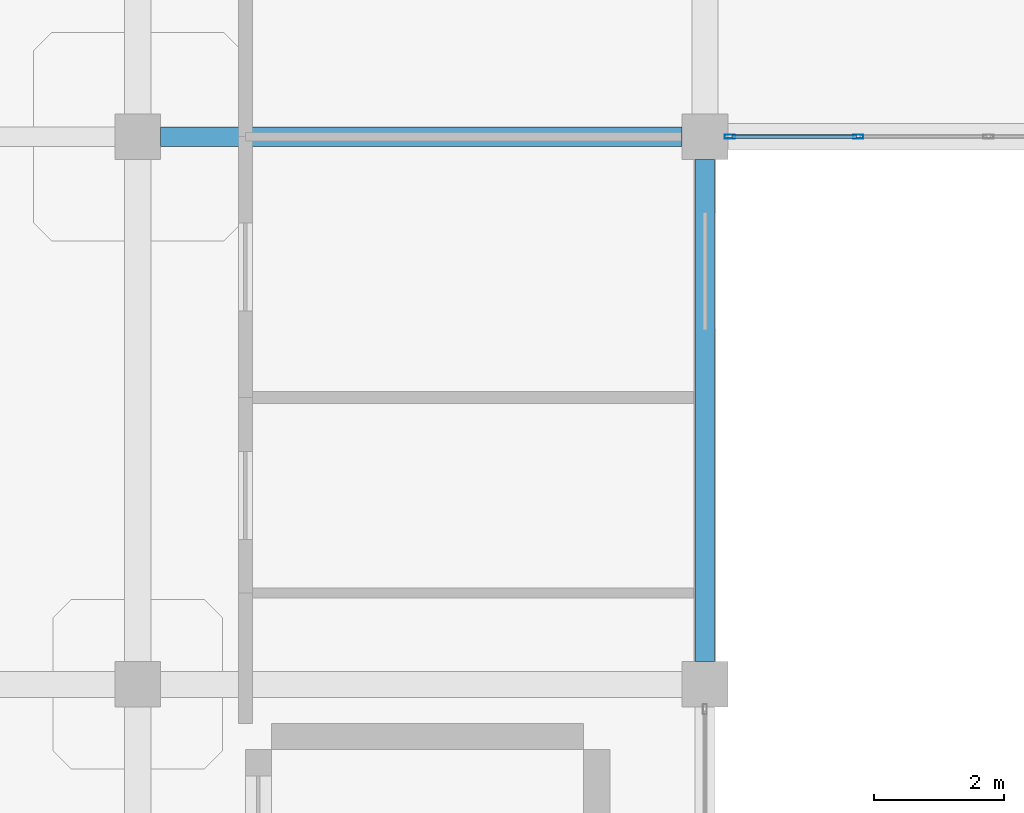
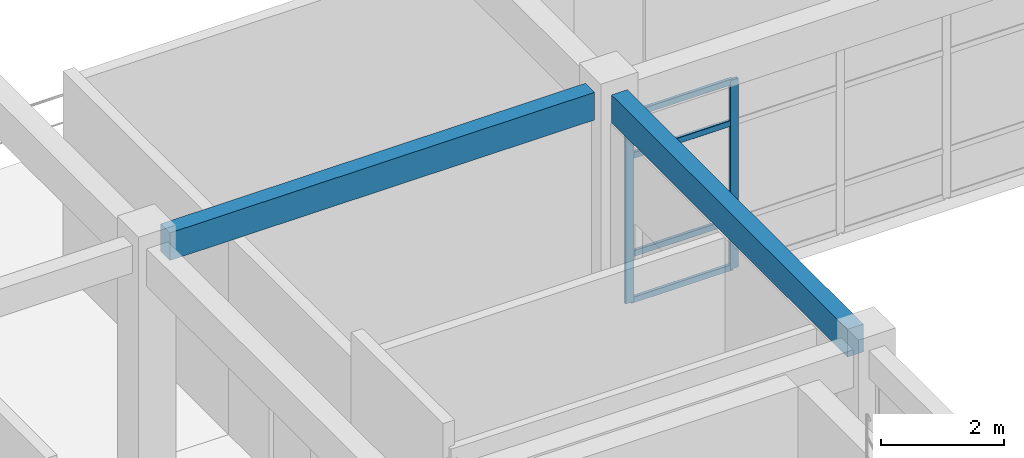
# One storey, part 27 of 64: 6 members, 2 beams, 1 element without a shape of its own.
"""IFC4 building model written with IfcOpenShell, lengths in metres."""

from ifc_helpers import new_model, si_unit, derived_unit, direction, frame, origin, origin_2d, place, context, subcontext, project, spatial, rectangle, hollow_rectangle, extrude, material, layer, layer_set, material_profile, profile_set, type_object, element, aggregate, save


model = new_model("IFC4")

# Units and contexts
model_context = context("Model", 3, precision=1e-05, world=origin(), true_north=direction((0.0, 1.0)))
body_context = subcontext(model_context, "Body", "Model", "MODEL_VIEW")
ifc_project = project(units=[si_unit("LENGTHUNIT", "METRE"), si_unit("AREAUNIT", "SQUARE_METRE"), si_unit("VOLUMEUNIT", "CUBIC_METRE"), si_unit("PLANEANGLEUNIT", "RADIAN"), si_unit("MASSUNIT", "GRAM", prefix="KILO"), derived_unit("THERMALTRANSMITTANCEUNIT", [(si_unit("MASSUNIT", "GRAM", prefix="KILO"), 1), (si_unit("TIMEUNIT", "SECOND"), -3), (si_unit("THERMODYNAMICTEMPERATUREUNIT", "KELVIN"), -1)])], contexts=[model_context])

# Site, building, storey
site_placement = place(None, origin())
site = spatial("IfcSite", under=ifc_project, at=site_placement, CompositionType="ELEMENT")
building_placement = place(site_placement, origin())
building = spatial("IfcBuilding", under=site, at=building_placement, Name="Qinzheling Arcade Emporium", CompositionType="ELEMENT")
storey_placement = place(building_placement, frame((0.0, 0.0, 31.5)))
storey = spatial("IfcBuildingStorey", under=building, at=storey_placement, Name="L07", CompositionType="ELEMENT", Elevation=31.5)

# Curtain wall, members
ifc_material_1 = material(Name="Anodised aluminium and solar-control double glazing", Category="aluminium")
ifc_layer = layer(ifc_material_1, 0.159912109375, Name="Anodised aluminium and solar-control double glazing", Category="aluminium")
ifc_layer_set = layer_set([ifc_layer], Name="Anodised aluminium and solar-control double glazing")
curtain_wall_type = type_object("IfcCurtainWallType", Name="Atrium Clerestory Curtain Wall", PredefinedType="NOTDEFINED", material=ifc_layer_set)
curtain_wall_placement = place(storey_placement, origin())
curtain_wall = element("IfcCurtainWall", 1, at=curtain_wall_placement, inside=storey, type_object=curtain_wall_type, Name="Curtain Wall CW-L07-430", PredefinedType="NOTDEFINED")
ifc_material_2 = material(Name="Anodised aluminium 6063-T6", Category="aluminium")
ifc_material_profile_1 = material_profile(ifc_material_2, hollow_rectangle(XDim=0.06005859375, YDim=0.159912109375, WallThickness=0.00390625, InnerFilletRadius=0.00390625, OuterFilletRadius=0.008056640625, at=origin_2d()), Name="RHS 160x60x4", Category="aluminium")
ifc_profile_set_1 = profile_set([ifc_material_profile_1], Name="Anodised aluminium 6063-T6")
member_type_1 = type_object("IfcMemberType", Name="Curtain Wall Mullion RHS160x60", PredefinedType="MULLION", material=ifc_profile_set_1)
member_1_placement = place(storey_placement, frame((71.950927734375, 42.0, 0.0), z_axis=(0.0, 0.0, 1.0), x_axis=(0.0, -1.0, 0.0)))
member_1 = element("IfcMember", 2, at=member_1_placement, type_object=member_type_1, Name="CW03 mullion 4", PredefinedType="MULLION", context=body_context, shape_type="SweptSolid", body=[
    extrude(hollow_rectangle(XDim=0.06005859375, YDim=0.159912109375, WallThickness=0.00390625, InnerFilletRadius=0.00390625, OuterFilletRadius=0.008056640625, at=origin_2d()), origin(), (0.0, 0.0, 1.0), 3.7548828125),
])
member_2_placement = place(storey_placement, frame((69.98193359375, 42.0, 0.0), z_axis=(0.0, 0.0, 1.0), x_axis=(0.0, -1.0, 0.0)))
member_2 = element("IfcMember", 3, at=member_2_placement, type_object=member_type_1, Name="CW03 mullion 5", PredefinedType="MULLION", context=body_context, shape_type="SweptSolid", body=[
    extrude(hollow_rectangle(XDim=0.06005859375, YDim=0.159912109375, WallThickness=0.00390625, InnerFilletRadius=0.00390625, OuterFilletRadius=0.008056640625, at=origin_2d()), origin(), (0.0, 0.0, 1.0), 3.7548828125),
])
ifc_material_profile_2 = material_profile(ifc_material_2, hollow_rectangle(XDim=0.06005859375, YDim=0.1201171875, WallThickness=0.00390625, InnerFilletRadius=0.00390625, OuterFilletRadius=0.008056640625, at=origin_2d()), Name="RHS 120x60x4", Category="aluminium")
ifc_profile_set_2 = profile_set([ifc_material_profile_2], Name="Anodised aluminium 6063-T6")
member_type_2 = type_object("IfcMemberType", Name="Curtain Wall Transom RHS120x60", PredefinedType="USERDEFINED", material=ifc_profile_set_2)
member_3_placement = place(storey_placement, frame((71.9208984375, 42.0, 0.030029296875), z_axis=(-1.0, 0.0, 0.0), x_axis=(0.0, -1.0, 0.0)))
member_3 = element("IfcMember", 4, at=member_3_placement, type_object=member_type_2, Name="CW03 transom 4.1", ObjectType="TRANSOM", PredefinedType="USERDEFINED", context=body_context, shape_type="SweptSolid", body=[
    extrude(hollow_rectangle(XDim=0.06005859375, YDim=0.1201171875, WallThickness=0.00390625, InnerFilletRadius=0.00390625, OuterFilletRadius=0.008056640625, at=origin_2d()), origin(), (0.0, 0.0, 1.0), 1.908935546875),
])
member_4_placement = place(storey_placement, frame((71.9208984375, 42.0, 0.949951171875), z_axis=(-1.0, 0.0, 0.0), x_axis=(0.0, -1.0, 0.0)))
member_4 = element("IfcMember", 5, at=member_4_placement, type_object=member_type_2, Name="CW03 transom 4.2", ObjectType="TRANSOM", PredefinedType="USERDEFINED", context=body_context, shape_type="SweptSolid", body=[
    extrude(hollow_rectangle(XDim=0.06005859375, YDim=0.1201171875, WallThickness=0.00390625, InnerFilletRadius=0.00390625, OuterFilletRadius=0.008056640625, at=origin_2d()), origin(), (0.0, 0.0, 1.0), 1.908935546875),
])
member_5_placement = place(storey_placement, frame((71.9208984375, 42.0, 2.905029296875), z_axis=(-1.0, 0.0, 0.0), x_axis=(0.0, -1.0, 0.0)))
member_5 = element("IfcMember", 6, at=member_5_placement, type_object=member_type_2, Name="CW03 transom 4.3", ObjectType="TRANSOM", PredefinedType="USERDEFINED", context=body_context, shape_type="SweptSolid", body=[
    extrude(hollow_rectangle(XDim=0.06005859375, YDim=0.1201171875, WallThickness=0.00390625, InnerFilletRadius=0.00390625, OuterFilletRadius=0.008056640625, at=origin_2d()), origin(), (0.0, 0.0, 1.0), 1.908935546875),
])
member_6_placement = place(storey_placement, frame((71.9208984375, 42.0, 3.72509765625), z_axis=(-1.0, 0.0, 0.0), x_axis=(0.0, -1.0, 0.0)))
member_6 = element("IfcMember", 7, at=member_6_placement, type_object=member_type_2, Name="CW03 transom 4.4", ObjectType="TRANSOM", PredefinedType="USERDEFINED", context=body_context, shape_type="SweptSolid", body=[
    extrude(hollow_rectangle(XDim=0.06005859375, YDim=0.1201171875, WallThickness=0.00390625, InnerFilletRadius=0.00390625, OuterFilletRadius=0.008056640625, at=origin_2d()), origin(), (0.0, 0.0, 1.0), 1.908935546875),
])
aggregate(curtain_wall, [member_1, member_2, member_3, member_4, member_5, member_6])

# Beams
ifc_material_3 = material(Name="Concrete C40", Category="concrete")
ifc_material_profile_3 = material_profile(ifc_material_3, rectangle(XDim=0.300048828125, YDim=0.550048828125, at=origin_2d()), Name="RC 300x550", Category="concrete")
ifc_profile_set_3 = profile_set([ifc_material_profile_3], Name="Concrete C40")
beam_type = type_object("IfcBeamType", Name="RC Terrace Spandrel Beam 300x550 C40", PredefinedType="SPANDREL", material=ifc_profile_set_3)
beam_1_placement = place(storey_placement, frame((61.25, 42.0, 4.2451171875), z_axis=(1.0, 0.0, 0.0), x_axis=(0.0, 1.0, 0.0)))
element("IfcBeam", 8, at=beam_1_placement, inside=storey, type_object=beam_type, Name="Beam BM-L07-X-F-8", PredefinedType="SPANDREL", context=body_context, shape_type="SweptSolid", body=[
    extrude(rectangle(XDim=0.300048828125, YDim=0.550048828125, at=origin_2d()), origin(), (0.0, 0.0, 1.0), 8.0),
])
beam_2_placement = place(storey_placement, frame((69.60009765625, 33.949951171875, 4.2451171875), z_axis=(0.0, 1.0, 0.0), x_axis=(-1.0, 0.0, 0.0)))
element("IfcBeam", 9, at=beam_2_placement, inside=storey, type_object=beam_type, Name="Beam BM-L07-Y-9-E", PredefinedType="SPANDREL", context=body_context, shape_type="SweptSolid", body=[
    extrude(rectangle(XDim=0.300048828125, YDim=0.550048828125, at=origin_2d()), origin(), (0.0, 0.0, 1.0), 7.699951171875),
])

save(model, "model.ifc")
